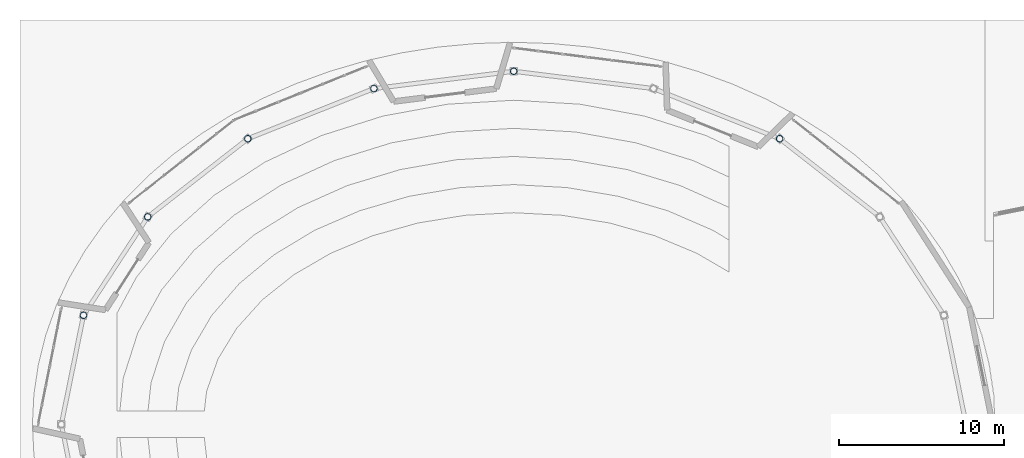
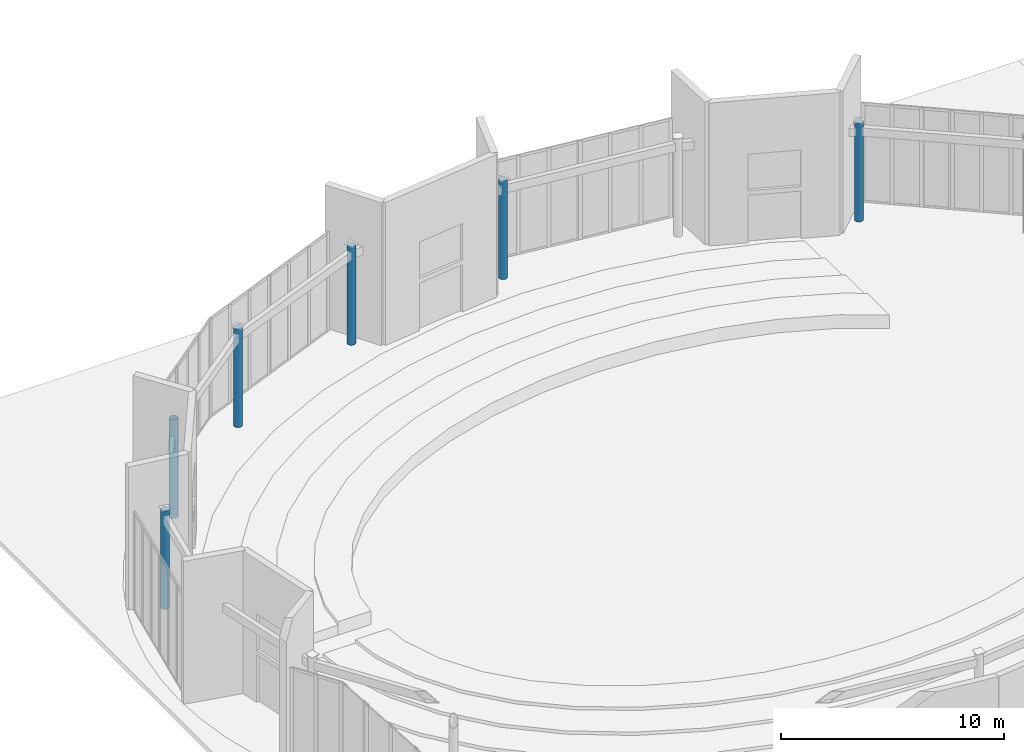
# One storey, part 9 of 94: 6 columns.
"""IFC4 building model written with IfcOpenShell, lengths in metres."""

from ifc_helpers import new_model, si_unit, direction, frame, origin, origin_2d, place, context, subcontext, project, spatial, hollow_circle, extrude, material, material_profile, profile_set, type_object, element, save


model = new_model("IFC4")

# Units and contexts
model_context = context("Model", 3, precision=1e-05, world=origin(), true_north=direction((0.0, 1.0)))
body_context = subcontext(model_context, "Body", "Model", "MODEL_VIEW")
ifc_project = project(units=[si_unit("LENGTHUNIT", "METRE"), si_unit("AREAUNIT", "SQUARE_METRE"), si_unit("VOLUMEUNIT", "CUBIC_METRE"), si_unit("PLANEANGLEUNIT", "RADIAN"), si_unit("MASSUNIT", "GRAM", prefix="KILO")], contexts=[model_context])

# Site, building, storey
site_placement = place(None, origin())
site = spatial("IfcSite", under=ifc_project, at=site_placement, CompositionType="ELEMENT")
building_placement = place(site_placement, origin())
building = spatial("IfcBuilding", under=site, at=building_placement, Name="Sollismere Congress Hotel", CompositionType="ELEMENT")
storey_placement = place(building_placement, origin())
storey = spatial("IfcBuildingStorey", under=building, at=storey_placement, Name="L00", CompositionType="ELEMENT", Elevation=0.0)

# Columns
ifc_material = material(Name="Steel ASTM A500 Grade C", Category="steel")
ifc_material_profile = material_profile(ifc_material, hollow_circle(Radius=0.202880859375, WallThickness=0.01611328125, at=origin_2d()), Name="CHS406X16")
ifc_profile_set = profile_set([ifc_material_profile], Name="Steel ASTM A500 Grade C")
column_type = type_object("IfcColumnType", Name="COL-CHS406I", PredefinedType="COLUMN", material=ifc_profile_set)
for number, where, z_axis, x_axis, name in (
    (1, (45.075927734375, 107.672607421875, 0.0), (0.0, 0.0, 1.0), (0.681359873953, 0.731948578909, 0.0), "Column CL-L00-1160"),
    (2, (29.0, 111.75, 0.0), (0.0, 0.0, 1.0), (0.0, 1.0, 0.0), "Column CL-L00-1168"),
    (3, (20.54833984375, 110.705078125, 0.0), (0.0, 0.0, 1.0), (-0.38429532266, 0.923210217113, 0.0), "Column CL-L00-1172"),
    (4, (12.924072265625, 107.672607421875, 0.0), (0.0, 0.0, 1.0), (-0.681359873953, 0.731948578909, 0.0), "Column CL-L00-1176"),
    (5, (6.873291015625, 102.94921875, 0.0), (0.0, 0.0, 1.0), (-0.869839554062, 0.493334724289, 0.0), "Column CL-L00-1180"),
    (6, (2.988525390625, 96.99755859375, 0.0), (0.0, 0.0, 1.0), (-0.969316774365, 0.245814952628, 0.0), "Column CL-L00-1184"),
):
    element("IfcColumn", number, at=place(storey_placement, frame(where, z_axis=z_axis, x_axis=x_axis)), inside=storey, type_object=column_type, Name=name, PredefinedType="COLUMN", context=body_context, shape_type="SweptSolid", body=[
        extrude(hollow_circle(Radius=0.202880859375, WallThickness=0.01611328125, at=origin_2d()), origin(), (0.0, 0.0, 1.0), 5.39990234375),
    ])

save(model, "model.ifc")
